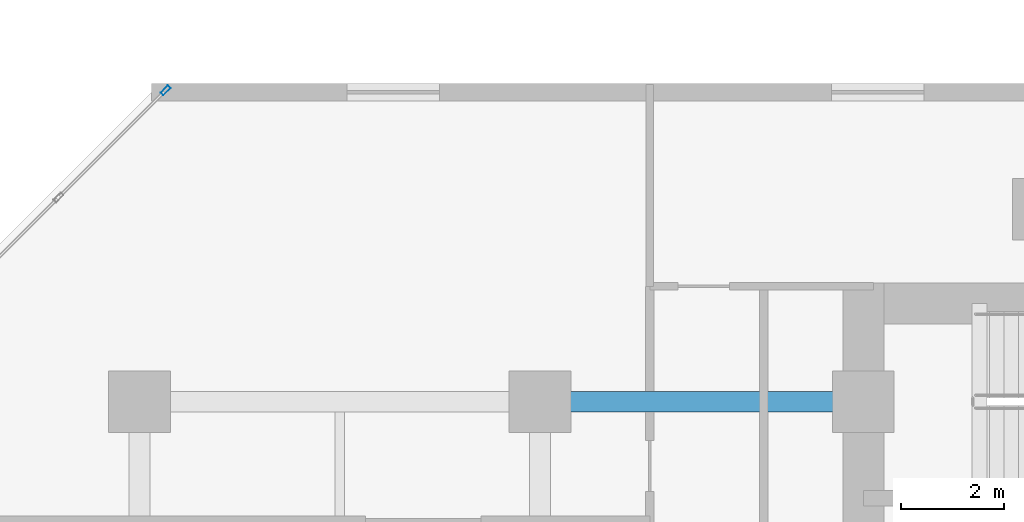
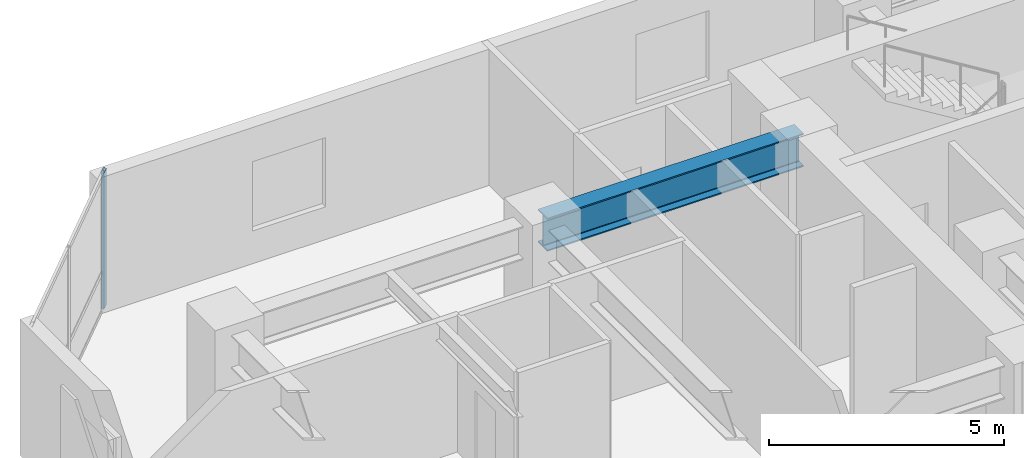
# One storey, part 4 of 12: 1 beam, 1 member, 1 element without a shape of its own.
"""IFC4 building model written with IfcOpenShell, lengths in metres."""

from ifc_helpers import new_model, si_unit, direction, frame, origin, origin_2d, place, context, subcontext, project, spatial, hollow_rectangle, i_section, extrude, material, layer, layer_set, material_profile, profile_set, type_object, element, aggregate, save


model = new_model("IFC4")

# Units and contexts
model_context = context("Model", 3, precision=1e-05, world=origin(), true_north=direction((0.0, 1.0)))
body_context = subcontext(model_context, "Body", "Model", "MODEL_VIEW")
ifc_project = project(units=[si_unit("LENGTHUNIT", "METRE"), si_unit("AREAUNIT", "SQUARE_METRE"), si_unit("VOLUMEUNIT", "CUBIC_METRE"), si_unit("PLANEANGLEUNIT", "RADIAN"), si_unit("MASSUNIT", "GRAM", prefix="KILO")], contexts=[model_context])

# Site, building, storey
site_placement = place(None, origin())
site = spatial("IfcSite", under=ifc_project, at=site_placement, CompositionType="ELEMENT")
building_placement = place(site_placement, origin())
building = spatial("IfcBuilding", under=site, at=building_placement, Name="Kestravale Grand Hotel", CompositionType="ELEMENT")
storey_placement = place(building_placement, frame((0.0, 0.0, 110.800048828125)))
storey = spatial("IfcBuildingStorey", under=building, at=storey_placement, Name="L27", CompositionType="ELEMENT", Elevation=110.800048828125)

# Beam
ifc_material_1 = material(Name="Steel ASTM A992 Grade 50", Category="steel")
ifc_material_profile_1 = material_profile(ifc_material_1, i_section(OverallWidth=0.40087890625, OverallDepth=0.861083984375, WebThickness=0.019775390625, FlangeThickness=0.032470703125, FilletRadius=0.0234375, at=origin_2d()))
ifc_profile_set_1 = profile_set([ifc_material_profile_1], Name="Steel ASTM A992 Grade 50")
beam_type = type_object("IfcBeamType", Name="B-GRD-W33", PredefinedType="BEAM", material=ifc_profile_set_1)
beam_placement = place(storey_placement, frame((15.60009765625, 38.39990234375, 3.109375), z_axis=(1.0, 0.0, 0.0), x_axis=(0.0, 1.0, 0.0)))
element("IfcBeam", 1, at=beam_placement, inside=storey, type_object=beam_type, Name="L27 girder F:3-CW", PredefinedType="BEAM", context=body_context, shape_type="SweptSolid", body=[
    extrude(i_section(OverallWidth=0.40087890625, OverallDepth=0.861083984375, WebThickness=0.019775390625, FlangeThickness=0.032470703125, FilletRadius=0.0234375, at=origin_2d()), origin(), (0.0, 0.0, 1.0), 6.2998046875),
])

# Curtain wall, member
ifc_material_2 = material(Name="Thermally broken champagne-bronze aluminium and low-E glazing", Category="aluminium")
ifc_layer = layer(ifc_material_2, 0.199951171875)
ifc_layer_set = layer_set([ifc_layer], Name="CW-Z2")
curtain_wall_type = type_object("IfcCurtainWallType", Name="CW-Z2", PredefinedType="NOTDEFINED", material=ifc_layer_set)
curtain_wall_placement = place(storey_placement, origin())
curtain_wall = element("IfcCurtainWall", 2, at=curtain_wall_placement, inside=storey, type_object=curtain_wall_type, Name="L27 unitised curtain wall 18", PredefinedType="NOTDEFINED")
ifc_material_3 = material(Name="Aluminium 6063-T6 anodised", Category="aluminium")
ifc_material_profile_2 = material_profile(ifc_material_3, hollow_rectangle(XDim=0.074951171875, YDim=0.199951171875, WallThickness=0.00390625, at=origin_2d()))
ifc_profile_set_2 = profile_set([ifc_material_profile_2], Name="Aluminium 6063-T6 anodised")
member_type = type_object("IfcMemberType", Name="CW-MUL-200", PredefinedType="MULLION", material=ifc_profile_set_2)
member_placement = place(storey_placement, frame((8.307861328125, 44.467529296875, 0.0), z_axis=(0.0, 0.0, 1.0), x_axis=(0.707106781187, -0.707106781187, 0.0)))
member = element("IfcMember", 3, at=member_placement, type_object=member_type, Name="CW-Z2 mullion 1", PredefinedType="MULLION", context=body_context, shape_type="SweptSolid", body=[
    extrude(hollow_rectangle(XDim=0.074951171875, YDim=0.199951171875, WallThickness=0.00390625, at=origin_2d()), origin(), (0.0, 0.0, 1.0), 3.5400390625),
])
aggregate(curtain_wall, [member])

save(model, "model.ifc")
